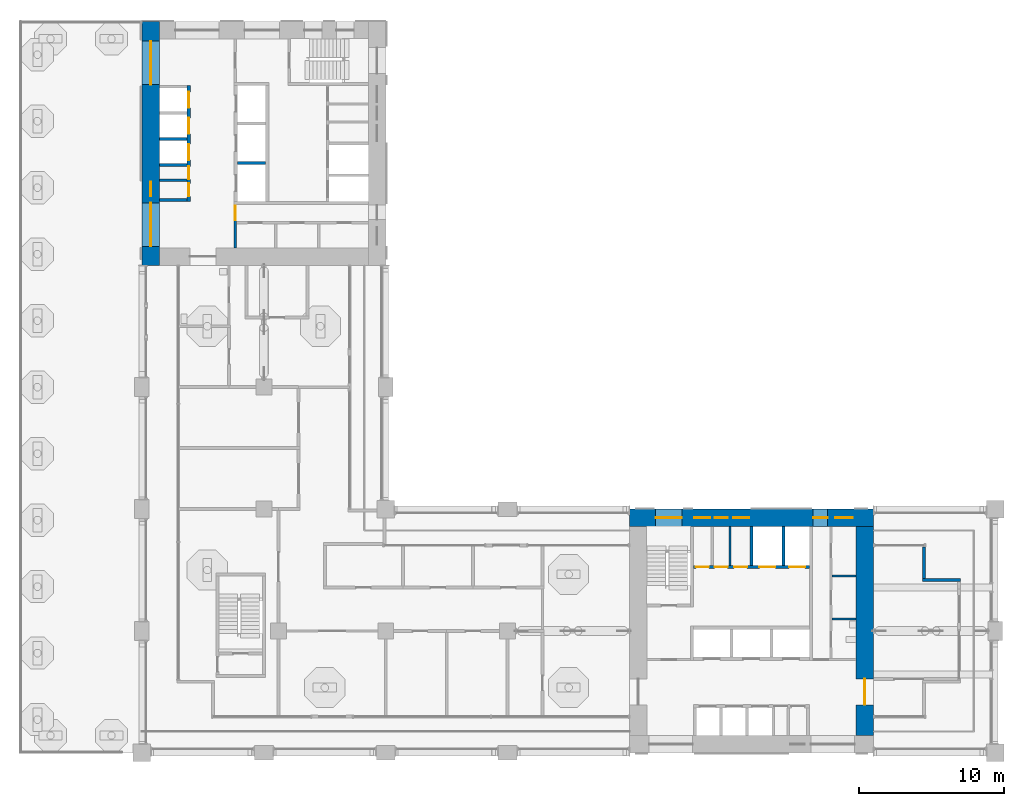
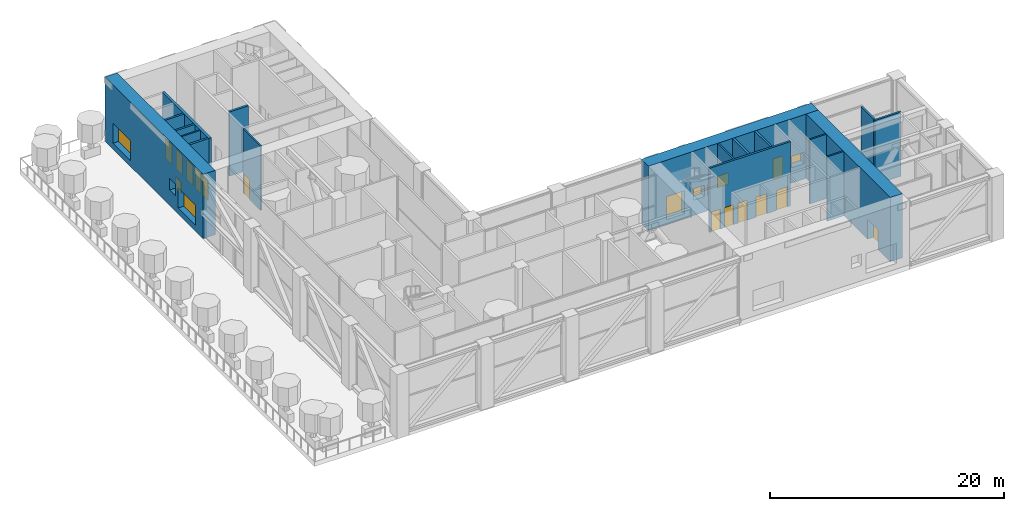
# One storey, part 11 of 22: 18 walls, 12 doors, 9 windows, 21 openings.
"""IFC4 building model written with IfcOpenShell, lengths in metres."""

from ifc_helpers import new_model, si_unit, direction, frame, frame_2d, origin, place, context, subcontext, project, spatial, rectangle, extrude, material, layer, layer_set, type_object, element, fill, save


model = new_model("IFC4")

# Units and contexts
model_context = context("Model", 3, precision=1e-05, world=origin(), true_north=direction((0.0, 1.0)))
body_context = subcontext(model_context, "Body", "Model", "MODEL_VIEW")
ifc_project = project(units=[si_unit("LENGTHUNIT", "METRE"), si_unit("AREAUNIT", "SQUARE_METRE"), si_unit("VOLUMEUNIT", "CUBIC_METRE"), si_unit("PLANEANGLEUNIT", "RADIAN"), si_unit("MASSUNIT", "GRAM", prefix="KILO")], contexts=[model_context])

# Site, building, storey
site_placement = place(None, origin())
site = spatial("IfcSite", under=ifc_project, at=site_placement, CompositionType="ELEMENT")
building_placement = place(site_placement, origin())
building = spatial("IfcBuilding", under=site, at=building_placement, Name="Vermilion Gate Residences", CompositionType="ELEMENT")
storey_placement = place(building_placement, frame((0.0, 0.0, 140.699951171875)))
storey = spatial("IfcBuildingStorey", under=building, at=storey_placement, Name="L36", CompositionType="ELEMENT", Elevation=140.699951171875)

# Walls
ifc_material_1 = material(Name="Masonry blockwork", Category="masonry")
ifc_layer_1 = layer(ifc_material_1, 0.14990234375)
ifc_layer_set_1 = layer_set([ifc_layer_1], Name="BLOCKWORK PARTITION 150 EI 120")
wall_type_1 = type_object("IfcWallType", Name="BLOCKWORK PARTITION 150 EI 120", PredefinedType="PARTITIONING", material=ifc_layer_set_1)
wall_1_placement = place(storey_placement, frame((48.928955078125, 21.300048828125, 0.0), z_axis=(0.0, 0.0, 1.0), x_axis=(0.0, 1.0, 0.0)))
element("IfcWall", 1, at=wall_1_placement, inside=storey, type_object=wall_type_1, Name="Core room partition A36-NR-P1", PredefinedType="PARTITIONING", context=body_context, shape_type="SweptSolid", body=[
    extrude(rectangle(XDim=2.699951171875, YDim=0.14990234375, at=frame_2d((1.35009765625, 0.0))), origin(), (0.0, 0.0, 1.0), 6.719970703125),
])
for number, where, z_axis, x_axis, name in (
    (2, (55.949951171875, 17.614990234375, 0.0), (0.0, 0.0, 1.0), (1.0, 0.0, 0.0), "Core room partition A36-ES-P0"),
    (3, (55.949951171875, 20.5810546875, 0.0), (0.0, 0.0, 1.0), (1.0, 0.0, 0.0), "Core room partition A36-ES-P1"),
):
    element("IfcWall", number, at=place(storey_placement, frame(where, z_axis=z_axis, x_axis=x_axis)), inside=storey, type_object=wall_type_1, Name=name, PredefinedType="PARTITIONING", context=body_context, shape_type="SweptSolid", body=[
        extrude(rectangle(XDim=1.650146484375, YDim=0.14990234375, at=frame_2d((0.8251953125, 0.0))), origin(), (0.0, 0.0, 1.0), 6.719970703125),
    ])
wall_2_placement = place(storey_placement, frame((9.60009765625, 47.864013671875, 0.0), z_axis=(0.0, 0.0, 1.0), x_axis=(1.0, 0.0, 0.0)))
element("IfcWall", 4, at=wall_2_placement, inside=storey, type_object=wall_type_1, Name="Core room partition B36-SR-P0", PredefinedType="PARTITIONING", context=body_context, shape_type="SweptSolid", body=[
    extrude(rectangle(XDim=1.89990234375, YDim=0.14990234375, at=frame_2d((0.949951171875, 0.0))), origin(), (0.0, 0.0, 1.0), 6.719970703125),
])

# Wall, opening, door
wall_3_placement = place(storey_placement, frame((14.824951171875, 46.199951171875, 0.0), z_axis=(0.0, 0.0, 1.0), x_axis=(0.0, -1.0, 0.0)))
wall_3 = element("IfcWall", 5, at=wall_3_placement, inside=storey, type_object=wall_type_1, Name="Core room partition B36-ES-S", PredefinedType="PARTITIONING", context=body_context, shape_type="SweptSolid", body=[
    extrude(rectangle(XDim=3.0, YDim=0.14990234375, at=frame_2d((1.5, 0.0))), origin(), (0.0, 0.0, 1.0), 6.719970703125),
])
opening_1_placement = place(wall_3_placement, frame((0.10009765625, 0.0, 0.0)))
opening_1 = element("IfcOpeningElement", 6, at=opening_1_placement, cuts=wall_3, Name="Opening DK36117", PredefinedType="OPENING", context=body_context, shape_type="SweptSolid", body=[
    extrude(rectangle(XDim=1.0, YDim=2.10009765625, at=frame_2d((0.5, 1.050048828125))), frame((0.0, 0.0849609375, 0.0), z_axis=(0.0, -1.0, 0.0), x_axis=(1.0, 0.0, 0.0)), (0.0, 0.0, 1.0), 0.169921875),
])
ifc_material_2 = material(Name="Steel", Category="steel")
door_type_1 = type_object("IfcDoorType", Name="FIRE DOOR FD60 1000 X 2100", OperationType="SINGLE_SWING_LEFT", PredefinedType="DOOR", material=ifc_material_2)
door_1_placement = place(opening_1_placement, frame((1.0, 0.0, 0.0), z_axis=(0.0, 0.0, 1.0), x_axis=(-1.0, 0.0, 0.0)))
door_1 = element("IfcDoor", 7, at=door_1_placement, inside=storey, type_object=door_type_1, Name="Service corridor door B36", OperationType="SINGLE_SWING_LEFT", OverallHeight=2.10009765625, OverallWidth=1.0, PredefinedType="DOOR", context=body_context, shape_type="SweptSolid", body=[
    extrude(rectangle(XDim=1.0, YDim=2.10009765625, at=frame_2d((0.5, 1.050048828125))), frame((0.0, 0.02490234375, 0.0), z_axis=(0.0, -1.0, 0.0), x_axis=(1.0, 0.0, 0.0)), (0.0, 0.0, 1.0), 0.050048828125),
])
fill(opening_1, door_1)

# Walls
ifc_material_3 = material(Name="Insulated steel stud wall with terracotta rainscreen", Category="masonry")
ifc_layer_2 = layer(ifc_material_3, 0.199951171875)
ifc_layer_set_2 = layer_set([ifc_layer_2], Name="EXTERNAL WALL 200 TERRACOTTA RAINSCREEN")
wall_type_2 = type_object("IfcWallType", Name="EXTERNAL WALL 200 TERRACOTTA RAINSCREEN", PredefinedType="SOLIDWALL", material=ifc_layer_set_2)
wall_4_placement = place(storey_placement, frame((64.800048828125, 20.300048828125, 0.0), z_axis=(0.0, 0.0, 1.0), x_axis=(-1.0, 0.0, 0.0)))
element("IfcWall", 8, at=wall_4_placement, inside=storey, type_object=wall_type_2, Name="External wall", PredefinedType="SOLIDWALL", context=body_context, shape_type="SweptSolid", body=[
    extrude(rectangle(XDim=2.60009765625, YDim=0.199951171875, at=frame_2d((1.300048828125, 0.0))), origin(), (0.0, 0.0, 1.0), 6.719970703125),
])
wall_5_placement = place(storey_placement, frame((62.300048828125, 20.39990234375, 0.0), z_axis=(0.0, 0.0, 1.0), x_axis=(0.0, 1.0, 0.0)))
element("IfcWall", 9, at=wall_5_placement, inside=storey, type_object=wall_type_2, Name="External wall", PredefinedType="SOLIDWALL", context=body_context, shape_type="SweptSolid", body=[
    extrude(rectangle(XDim=2.2001953125, YDim=0.199951171875, at=frame_2d((1.10009765625, 0.0))), origin(), (0.0, 0.0, 1.0), 6.719970703125),
])
ifc_material_4 = material(Name="Concrete C60", Category="concrete")
ifc_layer_3 = layer(ifc_material_4, 0.199951171875)
ifc_layer_set_3 = layer_set([ifc_layer_3], Name="RC CORE INTERNAL WALL 200 C60")
wall_type_3 = type_object("IfcWallType", Name="RC CORE INTERNAL WALL 200 C60", PredefinedType="SHEAR", material=ifc_layer_set_3)
for number, where, z_axis, x_axis, name in (
    (10, (50.39990234375, 21.300048828125, 0.0), (0.0, 0.0, 1.0), (0.0, 1.0, 0.0), "Core internal wall A36-FF-D0"),
    (11, (52.60009765625, 21.300048828125, 0.0), (0.0, 0.0, 1.0), (0.0, 1.0, 0.0), "Core internal wall A36-FF-D1"),
):
    element("IfcWall", number, at=place(storey_placement, frame(where, z_axis=z_axis, x_axis=x_axis)), inside=storey, type_object=wall_type_3, Name=name, PredefinedType="SHEAR", context=body_context, shape_type="SweptSolid", body=[
        extrude(rectangle(XDim=2.699951171875, YDim=0.199951171875, at=frame_2d((1.35009765625, 0.0))), origin(), (0.0, 0.0, 1.0), 6.719970703125),
    ])

# Wall, openings, doors
wall_6_placement = place(storey_placement, frame((46.39990234375, 21.199951171875, 0.0), z_axis=(0.0, 0.0, 1.0), x_axis=(1.0, 0.0, 0.0)))
wall_6 = element("IfcWall", 12, at=wall_6_placement, inside=storey, type_object=wall_type_3, Name="Core internal wall A36-FF-F", PredefinedType="SHEAR", context=body_context, shape_type="SweptSolid", body=[
    extrude(rectangle(XDim=8.0, YDim=0.199951171875, at=frame_2d((4.0, 0.0))), origin(), (0.0, 0.0, 1.0), 6.719970703125),
])
opening_2_placement = place(wall_6_placement, frame((0.162109375, 0.0, 0.0)))
opening_2 = element("IfcOpeningElement", 13, at=opening_2_placement, cuts=wall_6, Name="Opening DK36011", PredefinedType="OPENING", context=body_context, shape_type="SweptSolid", body=[
    extrude(rectangle(XDim=0.89990234375, YDim=2.10009765625, at=frame_2d((0.449951171875, 1.050048828125))), frame((0.0, 0.10986328125, 0.0), z_axis=(0.0, -1.0, 0.0), x_axis=(1.0, 0.0, 0.0)), (0.0, 0.0, 1.0), 0.219970703125),
])
opening_3_placement = place(wall_6_placement, frame((1.464111328125, 0.0, 0.0)))
opening_3 = element("IfcOpeningElement", 14, at=opening_3_placement, cuts=wall_6, Name="Opening DK36012", PredefinedType="OPENING", context=body_context, shape_type="SweptSolid", body=[
    extrude(rectangle(XDim=0.89990234375, YDim=2.10009765625, at=frame_2d((0.449951171875, 1.050048828125))), frame((0.0, 0.10986328125, 0.0), z_axis=(0.0, -1.0, 0.0), x_axis=(1.0, 0.0, 0.0)), (0.0, 0.0, 1.0), 0.219970703125),
])
opening_4_placement = place(wall_6_placement, frame((2.802001953125, 0.0, 0.0)))
opening_4 = element("IfcOpeningElement", 15, at=opening_4_placement, cuts=wall_6, Name="Opening DK36013", PredefinedType="OPENING", context=body_context, shape_type="SweptSolid", body=[
    extrude(rectangle(XDim=0.89990234375, YDim=2.10009765625, at=frame_2d((0.449951171875, 1.050048828125))), frame((0.0, 0.10986328125, 0.0), z_axis=(0.0, -1.0, 0.0), x_axis=(1.0, 0.0, 0.0)), (0.0, 0.0, 1.0), 0.219970703125),
])
opening_5_placement = place(wall_6_placement, frame((4.550048828125, 0.0, 0.0)))
opening_5 = element("IfcOpeningElement", 16, at=opening_5_placement, cuts=wall_6, Name="Opening LD", PredefinedType="OPENING", context=body_context, shape_type="SweptSolid", body=[
    extrude(rectangle(XDim=1.10009765625, YDim=2.10009765625, at=frame_2d((0.550048828125, 1.050048828125))), frame((0.0, 0.10986328125, 0.0), z_axis=(0.0, -1.0, 0.0), x_axis=(1.0, 0.0, 0.0)), (0.0, 0.0, 1.0), 0.219970703125),
])
opening_6_placement = place(wall_6_placement, frame((6.60009765625, 0.0, 0.0)))
opening_6 = element("IfcOpeningElement", 17, at=opening_6_placement, cuts=wall_6, Name="Opening LD", PredefinedType="OPENING", context=body_context, shape_type="SweptSolid", body=[
    extrude(rectangle(XDim=1.10009765625, YDim=2.10009765625, at=frame_2d((0.550048828125, 1.050048828125))), frame((0.0, 0.10986328125, 0.0), z_axis=(0.0, -1.0, 0.0), x_axis=(1.0, 0.0, 0.0)), (0.0, 0.0, 1.0), 0.219970703125),
])
ifc_material_5 = material(Name="Stainless steel", Category="steel")
door_type_2 = type_object("IfcDoorType", Name="LIFT LANDING DOOR E60 1100 X 2100", OperationType="DOUBLE_DOOR_SLIDING", PredefinedType="DOOR", material=ifc_material_5)
door_2_placement = place(opening_5_placement, origin())
door_2 = element("IfcDoor", 18, at=door_2_placement, inside=storey, type_object=door_type_2, Name="Lift landing door LFA1", OperationType="DOUBLE_DOOR_SLIDING", OverallHeight=2.10009765625, OverallWidth=1.10009765625, PredefinedType="DOOR", context=body_context, shape_type="SweptSolid", body=[
    extrude(rectangle(XDim=1.10009765625, YDim=2.10009765625, at=frame_2d((0.550048828125, 1.050048828125))), frame((0.0, 0.02490234375, 0.0), z_axis=(0.0, -1.0, 0.0), x_axis=(1.0, 0.0, 0.0)), (0.0, 0.0, 1.0), 0.050048828125),
])
fill(opening_5, door_2)
door_3_placement = place(opening_6_placement, origin())
door_3 = element("IfcDoor", 19, at=door_3_placement, inside=storey, type_object=door_type_2, Name="Lift landing door LCA1", OperationType="DOUBLE_DOOR_SLIDING", OverallHeight=2.10009765625, OverallWidth=1.10009765625, PredefinedType="DOOR", context=body_context, shape_type="SweptSolid", body=[
    extrude(rectangle(XDim=1.10009765625, YDim=2.10009765625, at=frame_2d((0.550048828125, 1.050048828125))), frame((0.0, 0.02490234375, 0.0), z_axis=(0.0, -1.0, 0.0), x_axis=(1.0, 0.0, 0.0)), (0.0, 0.0, 1.0), 0.050048828125),
])
fill(opening_6, door_3)
ifc_material_6 = material(Name="Steel", Category="steel")
door_type_3 = type_object("IfcDoorType", Name="SERVICE ROOM DOOR FD60 900 X 2100", OperationType="SINGLE_SWING_LEFT", PredefinedType="DOOR", material=ifc_material_6)
door_4_placement = place(opening_2_placement, frame((0.89990234375, 0.0, 0.0), z_axis=(0.0, 0.0, 1.0), x_axis=(-1.0, 0.0, 0.0)))
door_4 = element("IfcDoor", 20, at=door_4_placement, inside=storey, type_object=door_type_3, Name="Pressurisation fan plant room A36", OperationType="SINGLE_SWING_RIGHT", OverallHeight=2.10009765625, OverallWidth=0.89990234375, PredefinedType="DOOR", context=body_context, shape_type="SweptSolid", body=[
    extrude(rectangle(XDim=0.89990234375, YDim=2.10009765625, at=frame_2d((0.449951171875, 1.050048828125))), frame((0.0, 0.02490234375, 0.0), z_axis=(0.0, -1.0, 0.0), x_axis=(1.0, 0.0, 0.0)), (0.0, 0.0, 1.0), 0.050048828125),
])
fill(opening_2, door_4)
door_5_placement = place(opening_3_placement, frame((0.89990234375, 0.0, 0.0), z_axis=(0.0, 0.0, 1.0), x_axis=(-1.0, 0.0, 0.0)))
door_5 = element("IfcDoor", 21, at=door_5_placement, inside=storey, type_object=door_type_3, Name="Smoke extract plant room A36", OperationType="SINGLE_SWING_RIGHT", OverallHeight=2.10009765625, OverallWidth=0.89990234375, PredefinedType="DOOR", context=body_context, shape_type="SweptSolid", body=[
    extrude(rectangle(XDim=0.89990234375, YDim=2.10009765625, at=frame_2d((0.449951171875, 1.050048828125))), frame((0.0, 0.02490234375, 0.0), z_axis=(0.0, -1.0, 0.0), x_axis=(1.0, 0.0, 0.0)), (0.0, 0.0, 1.0), 0.050048828125),
])
fill(opening_3, door_5)
door_6_placement = place(opening_4_placement, frame((0.89990234375, 0.0, 0.0), z_axis=(0.0, 0.0, 1.0), x_axis=(-1.0, 0.0, 0.0)))
door_6 = element("IfcDoor", 22, at=door_6_placement, inside=storey, type_object=door_type_3, Name="Mechanical plant room A36", OperationType="SINGLE_SWING_RIGHT", OverallHeight=2.10009765625, OverallWidth=0.89990234375, PredefinedType="DOOR", context=body_context, shape_type="SweptSolid", body=[
    extrude(rectangle(XDim=0.89990234375, YDim=2.10009765625, at=frame_2d((0.449951171875, 1.050048828125))), frame((0.0, 0.02490234375, 0.0), z_axis=(0.0, -1.0, 0.0), x_axis=(1.0, 0.0, 0.0)), (0.0, 0.0, 1.0), 0.050048828125),
])
fill(opening_4, door_6)

# Walls
for number, where, z_axis, x_axis, name in (
    (23, (9.60009765625, 50.699951171875, 0.0), (0.0, 0.0, 1.0), (1.0, 0.0, 0.0), "Core internal wall B36-LR-D2"),
    (24, (9.60009765625, 48.89990234375, 0.0), (0.0, 0.0, 1.0), (1.0, 0.0, 0.0), "Core internal wall B36-LR-D3"),
    (25, (9.60009765625, 46.5, 0.0), (0.0, 0.0, 1.0), (1.0, 0.0, 0.0), "Core internal wall B36-LR-DE"),
    (26, (15.0, 49.033447265625, 0.0), (0.0, 0.0, 1.0), (1.0, 0.0, 0.0), "Core internal wall B36-HR-D2"),
):
    element("IfcWall", number, at=place(storey_placement, frame(where, z_axis=z_axis, x_axis=x_axis)), inside=storey, type_object=wall_type_3, Name=name, PredefinedType="SHEAR", context=body_context, shape_type="SweptSolid", body=[
        extrude(rectangle(XDim=1.89990234375, YDim=0.199951171875, at=frame_2d((0.949951171875, 0.0))), origin(), (0.0, 0.0, 1.0), 6.719970703125),
    ])

# Wall, opening, door
ifc_material_7 = material(Name="Concrete C70", Category="concrete")
ifc_layer_4 = layer(ifc_material_7, 1.199951171875)
ifc_layer_set_4 = layer_set([ifc_layer_4], Name="RC CORE WALL 1200 C70")
wall_type_4 = type_object("IfcWallType", Name="RC CORE WALL 1200 C70", PredefinedType="SHEAR", material=ifc_layer_set_4)
wall_7_placement = place(storey_placement, frame((58.199951171875, 9.60009765625, 0.0), z_axis=(0.0, 0.0, 1.0), x_axis=(0.0, 1.0, 0.0)))
wall_7 = element("IfcWall", 27, at=wall_7_placement, inside=storey, type_object=wall_type_4, Name="Core wall A36-OUT-BK", PredefinedType="SHEAR", context=body_context, shape_type="SweptSolid", body=[
    extrude(rectangle(XDim=14.39990234375, YDim=1.199951171875, at=frame_2d((7.199951171875, 0.0))), origin(), (0.0, 0.0, 1.0), 6.719970703125),
])
opening_7_placement = place(wall_7_placement, frame((2.10009765625, 0.0, 0.0)))
opening_7 = element("IfcOpeningElement", 28, at=opening_7_placement, cuts=wall_7, Name="Opening DK36002", PredefinedType="OPENING", context=body_context, shape_type="SweptSolid", body=[
    extrude(rectangle(XDim=1.800048828125, YDim=2.10009765625, at=frame_2d((0.89990234375, 1.050048828125))), frame((0.0, 0.60986328125, 0.0), z_axis=(0.0, -1.0, 0.0), x_axis=(1.0, 0.0, 0.0)), (0.0, 0.0, 1.0), 1.219970703125),
])
ifc_material_8 = material(Name="Steel", Category="steel")
door_type_4 = type_object("IfcDoorType", Name="CORE LOBBY DOOR FD60 1800 X 2100", OperationType="DOUBLE_DOOR_SINGLE_SWING", PredefinedType="DOOR", material=ifc_material_8)
door_7_placement = place(opening_7_placement, origin())
door_7 = element("IfcDoor", 29, at=door_7_placement, inside=storey, type_object=door_type_4, Name="Core lobby door A36", OperationType="DOUBLE_DOOR_SINGLE_SWING", OverallHeight=2.10009765625, OverallWidth=1.800048828125, PredefinedType="DOOR", context=body_context, shape_type="SweptSolid", body=[
    extrude(rectangle(XDim=1.800048828125, YDim=2.10009765625, at=frame_2d((0.89990234375, 1.050048828125))), frame((0.0, 0.02490234375, 0.0), z_axis=(0.0, -1.0, 0.0), x_axis=(1.0, 0.0, 0.0)), (0.0, 0.0, 1.0), 0.050048828125),
])
fill(opening_7, door_7)

# Wall, openings, windows
ifc_material_9 = material(Name="Concrete C70 red-oxide pigmented", Category="concrete")
ifc_layer_5 = layer(ifc_material_9, 1.199951171875)
ifc_layer_set_5 = layer_set([ifc_layer_5], Name="RC CORE WALL 1200 C70 RED OXIDE")
wall_type_5 = type_object("IfcWallType", Name="RC CORE WALL 1200 C70 RED OXIDE", PredefinedType="SHEAR", material=ifc_layer_set_5)
wall_8_placement = place(storey_placement, frame((42.0, 24.60009765625, 0.0), z_axis=(0.0, 0.0, 1.0), x_axis=(1.0, 0.0, 0.0)))
wall_8 = element("IfcWall", 30, at=wall_8_placement, inside=storey, type_object=wall_type_5, Name="Core wall A36-OUT-B1", PredefinedType="SHEAR", context=body_context, shape_type="SweptSolid", body=[
    extrude(rectangle(XDim=16.800048828125, YDim=1.199951171875, at=frame_2d((8.39990234375, 0.0))), origin(), (0.0, 0.0, 1.0), 6.719970703125),
])
opening_8_placement = place(wall_8_placement, frame((1.800048828125, 0.0, 0.5)))
opening_8 = element("IfcOpeningElement", 31, at=opening_8_placement, cuts=wall_8, Name="Opening WKA3604", PredefinedType="OPENING", context=body_context, shape_type="SweptSolid", body=[
    extrude(rectangle(XDim=1.800048828125, YDim=2.39990234375, at=frame_2d((0.89990234375, 1.199951171875))), frame((0.0, 0.60986328125, 0.0), z_axis=(0.0, -1.0, 0.0), x_axis=(1.0, 0.0, 0.0)), (0.0, 0.0, 1.0), 1.219970703125),
])
opening_9_placement = place(wall_8_placement, frame((4.4619140625, 0.0, 1.60009765625)))
opening_9 = element("IfcOpeningElement", 32, at=opening_9_placement, cuts=wall_8, Name="Opening WKA3605", PredefinedType="OPENING", context=body_context, shape_type="SweptSolid", body=[
    extrude(rectangle(XDim=1.10009765625, YDim=1.199951171875, at=frame_2d((0.550048828125, 0.60009765625))), frame((0.0, 0.60986328125, 0.0), z_axis=(0.0, -1.0, 0.0), x_axis=(1.0, 0.0, 0.0)), (0.0, 0.0, 1.0), 1.219970703125),
])
opening_10_placement = place(wall_8_placement, frame((5.864013671875, 0.0, 1.60009765625)))
opening_10 = element("IfcOpeningElement", 33, at=opening_10_placement, cuts=wall_8, Name="Opening WKA3606", PredefinedType="OPENING", context=body_context, shape_type="SweptSolid", body=[
    extrude(rectangle(XDim=0.89990234375, YDim=1.199951171875, at=frame_2d((0.449951171875, 0.60009765625))), frame((0.0, 0.60986328125, 0.0), z_axis=(0.0, -1.0, 0.0), x_axis=(1.0, 0.0, 0.0)), (0.0, 0.0, 1.0), 1.219970703125),
])
opening_11_placement = place(wall_8_placement, frame((7.14990234375, 0.0, 1.60009765625)))
opening_11 = element("IfcOpeningElement", 34, at=opening_11_placement, cuts=wall_8, Name="Opening WKA3607", PredefinedType="OPENING", context=body_context, shape_type="SweptSolid", body=[
    extrude(rectangle(XDim=1.10009765625, YDim=1.199951171875, at=frame_2d((0.550048828125, 0.60009765625))), frame((0.0, 0.60986328125, 0.0), z_axis=(0.0, -1.0, 0.0), x_axis=(1.0, 0.0, 0.0)), (0.0, 0.0, 1.0), 1.219970703125),
])
opening_12_placement = place(wall_8_placement, frame((12.64990234375, 0.0, 0.60009765625)))
opening_12 = element("IfcOpeningElement", 35, at=opening_12_placement, cuts=wall_8, Name="Opening WKA3608", PredefinedType="OPENING", context=body_context, shape_type="SweptSolid", body=[
    extrude(rectangle(XDim=1.0, YDim=2.10009765625, at=frame_2d((0.5, 1.050048828125))), frame((0.0, 0.60986328125, 0.0), z_axis=(0.0, -1.0, 0.0), x_axis=(1.0, 0.0, 0.0)), (0.0, 0.0, 1.0), 1.219970703125),
])
opening_13_placement = place(wall_8_placement, frame((14.175048828125, 0.0, 1.60009765625)))
opening_13 = element("IfcOpeningElement", 36, at=opening_13_placement, cuts=wall_8, Name="Opening WKA3609", PredefinedType="OPENING", context=body_context, shape_type="SweptSolid", body=[
    extrude(rectangle(XDim=1.199951171875, YDim=1.199951171875, at=frame_2d((0.60009765625, 0.60009765625))), frame((0.0, 0.60986328125, 0.0), z_axis=(0.0, -1.0, 0.0), x_axis=(1.0, 0.0, 0.0)), (0.0, 0.0, 1.0), 1.219970703125),
])
ifc_material_10 = material(Name="Aluminium and clear glass", Category="aluminium")
window_type_1 = type_object("IfcWindowType", Name="CORE CORRIDOR WINDOW 1000 X 2100", PartitioningType="SINGLE_PANEL", PredefinedType="WINDOW", material=ifc_material_10)
window_1_placement = place(opening_12_placement, origin())
window_1 = element("IfcWindow", 37, at=window_1_placement, inside=storey, type_object=window_type_1, Name="Core corridor window", OverallHeight=2.10009765625, OverallWidth=1.0, PartitioningType="SINGLE_PANEL", PredefinedType="WINDOW", context=body_context, shape_type="SweptSolid", body=[
    extrude(rectangle(XDim=1.0, YDim=2.10009765625, at=frame_2d((0.5, 1.050048828125))), frame((0.0, 0.030029296875, 0.0), z_axis=(0.0, -1.0, 0.0), x_axis=(1.0, 0.0, 0.0)), (0.0, 0.0, 1.0), 0.06005859375),
])
fill(opening_12, window_1)
ifc_material_11 = material(Name="Aluminium frame with louvre blades", Category="aluminium")
window_type_2 = type_object("IfcWindowType", Name="CORE LOUVRE 1100 X 1200", PartitioningType="SINGLE_PANEL", PredefinedType="WINDOW", material=ifc_material_11)
window_2_placement = place(opening_9_placement, origin())
window_2 = element("IfcWindow", 38, at=window_2_placement, inside=storey, type_object=window_type_2, Name="Core louvre", OverallHeight=1.199951171875, OverallWidth=1.10009765625, PartitioningType="SINGLE_PANEL", PredefinedType="WINDOW", context=body_context, shape_type="SweptSolid", body=[
    extrude(rectangle(XDim=1.10009765625, YDim=1.199951171875, at=frame_2d((0.550048828125, 0.60009765625))), frame((0.0, 0.030029296875, 0.0), z_axis=(0.0, -1.0, 0.0), x_axis=(1.0, 0.0, 0.0)), (0.0, 0.0, 1.0), 0.06005859375),
])
fill(opening_9, window_2)
window_3_placement = place(opening_11_placement, origin())
window_3 = element("IfcWindow", 39, at=window_3_placement, inside=storey, type_object=window_type_2, Name="Core louvre", OverallHeight=1.199951171875, OverallWidth=1.10009765625, PartitioningType="SINGLE_PANEL", PredefinedType="WINDOW", context=body_context, shape_type="SweptSolid", body=[
    extrude(rectangle(XDim=1.10009765625, YDim=1.199951171875, at=frame_2d((0.550048828125, 0.60009765625))), frame((0.0, 0.030029296875, 0.0), z_axis=(0.0, -1.0, 0.0), x_axis=(1.0, 0.0, 0.0)), (0.0, 0.0, 1.0), 0.06005859375),
])
fill(opening_11, window_3)
ifc_material_12 = material(Name="Aluminium frame with louvre blades", Category="aluminium")
window_type_3 = type_object("IfcWindowType", Name="CORE LOUVRE 1200 X 1200", PartitioningType="SINGLE_PANEL", PredefinedType="WINDOW", material=ifc_material_12)
window_4_placement = place(opening_13_placement, origin())
window_4 = element("IfcWindow", 40, at=window_4_placement, inside=storey, type_object=window_type_3, Name="Core louvre", OverallHeight=1.199951171875, OverallWidth=1.199951171875, PartitioningType="SINGLE_PANEL", PredefinedType="WINDOW", context=body_context, shape_type="SweptSolid", body=[
    extrude(rectangle(XDim=1.199951171875, YDim=1.199951171875, at=frame_2d((0.60009765625, 0.60009765625))), frame((0.0, 0.030029296875, 0.0), z_axis=(0.0, -1.0, 0.0), x_axis=(1.0, 0.0, 0.0)), (0.0, 0.0, 1.0), 0.06005859375),
])
fill(opening_13, window_4)
ifc_material_13 = material(Name="Aluminium frame with louvre blades", Category="aluminium")
window_type_4 = type_object("IfcWindowType", Name="CORE LOUVRE 900 X 1200", PartitioningType="SINGLE_PANEL", PredefinedType="WINDOW", material=ifc_material_13)
window_5_placement = place(opening_10_placement, origin())
window_5 = element("IfcWindow", 41, at=window_5_placement, inside=storey, type_object=window_type_4, Name="Core louvre", OverallHeight=1.199951171875, OverallWidth=0.89990234375, PartitioningType="SINGLE_PANEL", PredefinedType="WINDOW", context=body_context, shape_type="SweptSolid", body=[
    extrude(rectangle(XDim=0.89990234375, YDim=1.199951171875, at=frame_2d((0.449951171875, 0.60009765625))), frame((0.0, 0.030029296875, 0.0), z_axis=(0.0, -1.0, 0.0), x_axis=(1.0, 0.0, 0.0)), (0.0, 0.0, 1.0), 0.06005859375),
])
fill(opening_10, window_5)
ifc_material_14 = material(Name="Aluminium and clear glass", Category="aluminium")
window_type_5 = type_object("IfcWindowType", Name="CORE STAIR WINDOW 1800 X 2400", PartitioningType="SINGLE_PANEL", PredefinedType="WINDOW", material=ifc_material_14)
window_6_placement = place(opening_8_placement, origin())
window_6 = element("IfcWindow", 42, at=window_6_placement, inside=storey, type_object=window_type_5, Name="Core stair window", OverallHeight=2.39990234375, OverallWidth=1.800048828125, PartitioningType="SINGLE_PANEL", PredefinedType="WINDOW", context=body_context, shape_type="SweptSolid", body=[
    extrude(rectangle(XDim=1.800048828125, YDim=2.39990234375, at=frame_2d((0.89990234375, 1.199951171875))), frame((0.0, 0.030029296875, 0.0), z_axis=(0.0, -1.0, 0.0), x_axis=(1.0, 0.0, 0.0)), (0.0, 0.0, 1.0), 0.06005859375),
])
fill(opening_8, window_6)

wall_9_placement = place(storey_placement, frame((9.0, 58.800048828125, 0.0), z_axis=(0.0, 0.0, 1.0), x_axis=(0.0, -1.0, 0.0)))
wall_9 = element("IfcWall", 43, at=wall_9_placement, inside=storey, type_object=wall_type_5, Name="Core wall B36-OUT-B0", PredefinedType="SHEAR", context=body_context, shape_type="SweptSolid", body=[
    extrude(rectangle(XDim=16.800048828125, YDim=1.199951171875, at=frame_2d((8.39990234375, 0.0))), origin(), (0.0, 0.0, 1.0), 6.719970703125),
])
opening_14_placement = place(wall_9_placement, frame((1.35009765625, 0.0, 0.60009765625)))
opening_14 = element("IfcOpeningElement", 44, at=opening_14_placement, cuts=wall_9, Name="Opening WKB3601", PredefinedType="OPENING", context=body_context, shape_type="SweptSolid", body=[
    extrude(rectangle(XDim=3.0, YDim=2.10009765625, at=frame_2d((1.5, 1.050048828125))), frame((0.0, 0.60986328125, 0.0), z_axis=(0.0, -1.0, 0.0), x_axis=(1.0, 0.0, 0.0)), (0.0, 0.0, 1.0), 1.219970703125),
])
opening_15_placement = place(wall_9_placement, frame((11.06103515625, 0.0, 1.60009765625)))
opening_15 = element("IfcOpeningElement", 45, at=opening_15_placement, cuts=wall_9, Name="Opening WKB3602", PredefinedType="OPENING", context=body_context, shape_type="SweptSolid", body=[
    extrude(rectangle(XDim=1.0, YDim=1.199951171875, at=frame_2d((0.5, 0.60009765625))), frame((0.0, 0.60986328125, 0.0), z_axis=(0.0, -1.0, 0.0), x_axis=(1.0, 0.0, 0.0)), (0.0, 0.0, 1.0), 1.219970703125),
])
opening_16_placement = place(wall_9_placement, frame((12.5, 0.0, 0.60009765625)))
opening_16 = element("IfcOpeningElement", 46, at=opening_16_placement, cuts=wall_9, Name="Opening WKB3603", PredefinedType="OPENING", context=body_context, shape_type="SweptSolid", body=[
    extrude(rectangle(XDim=3.0, YDim=2.10009765625, at=frame_2d((1.5, 1.050048828125))), frame((0.0, 0.60986328125, 0.0), z_axis=(0.0, -1.0, 0.0), x_axis=(1.0, 0.0, 0.0)), (0.0, 0.0, 1.0), 1.219970703125),
])
ifc_material_15 = material(Name="Aluminium and clear glass", Category="aluminium")
window_type_6 = type_object("IfcWindowType", Name="CORE LOBBY WINDOW 3000 X 2100", PartitioningType="SINGLE_PANEL", PredefinedType="WINDOW", material=ifc_material_15)
window_7_placement = place(opening_14_placement, origin())
window_7 = element("IfcWindow", 47, at=window_7_placement, inside=storey, type_object=window_type_6, Name="Core lobby window", OverallHeight=2.10009765625, OverallWidth=3.0, PartitioningType="SINGLE_PANEL", PredefinedType="WINDOW", context=body_context, shape_type="SweptSolid", body=[
    extrude(rectangle(XDim=3.0, YDim=2.10009765625, at=frame_2d((1.5, 1.050048828125))), frame((0.0, 0.030029296875, 0.0), z_axis=(0.0, -1.0, 0.0), x_axis=(1.0, 0.0, 0.0)), (0.0, 0.0, 1.0), 0.06005859375),
])
fill(opening_14, window_7)
window_8_placement = place(opening_16_placement, origin())
window_8 = element("IfcWindow", 48, at=window_8_placement, inside=storey, type_object=window_type_6, Name="Core lobby window", OverallHeight=2.10009765625, OverallWidth=3.0, PartitioningType="SINGLE_PANEL", PredefinedType="WINDOW", context=body_context, shape_type="SweptSolid", body=[
    extrude(rectangle(XDim=3.0, YDim=2.10009765625, at=frame_2d((1.5, 1.050048828125))), frame((0.0, 0.030029296875, 0.0), z_axis=(0.0, -1.0, 0.0), x_axis=(1.0, 0.0, 0.0)), (0.0, 0.0, 1.0), 0.06005859375),
])
fill(opening_16, window_8)
ifc_material_16 = material(Name="Aluminium frame with louvre blades", Category="aluminium")
window_type_7 = type_object("IfcWindowType", Name="CORE LOUVRE 1000 X 1200", PartitioningType="SINGLE_PANEL", PredefinedType="WINDOW", material=ifc_material_16)
window_9_placement = place(opening_15_placement, origin())
window_9 = element("IfcWindow", 49, at=window_9_placement, inside=storey, type_object=window_type_7, Name="Core louvre", OverallHeight=1.199951171875, OverallWidth=1.0, PartitioningType="SINGLE_PANEL", PredefinedType="WINDOW", context=body_context, shape_type="SweptSolid", body=[
    extrude(rectangle(XDim=1.0, YDim=1.199951171875, at=frame_2d((0.5, 0.60009765625))), frame((0.0, 0.030029296875, 0.0), z_axis=(0.0, -1.0, 0.0), x_axis=(1.0, 0.0, 0.0)), (0.0, 0.0, 1.0), 0.06005859375),
])
fill(opening_15, window_9)

# Wall, openings, doors
ifc_material_17 = material(Name="Concrete C60", Category="concrete")
ifc_layer_6 = layer(ifc_material_17, 0.25)
ifc_layer_set_6 = layer_set([ifc_layer_6], Name="RC LIFT SHAFT WALL 250 C60")
wall_type_6 = type_object("IfcWallType", Name="RC LIFT SHAFT WALL 250 C60", PredefinedType="SHEAR", material=ifc_layer_set_6)
wall_10_placement = place(storey_placement, frame((11.625, 54.39990234375, 0.0), z_axis=(0.0, 0.0, 1.0), x_axis=(0.0, -1.0, 0.0)))
wall_10 = element("IfcWall", 50, at=wall_10_placement, inside=storey, type_object=wall_type_6, Name="Lift shaft wall B36-LR-F", PredefinedType="SHEAR", context=body_context, shape_type="SweptSolid", body=[
    extrude(rectangle(XDim=8.0, YDim=0.25, at=frame_2d((4.0, 0.0))), origin(), (0.0, 0.0, 1.0), 6.719970703125),
])
opening_17_placement = place(wall_10_placement, frame((0.449951171875, 0.0, 0.0)))
opening_17 = element("IfcOpeningElement", 51, at=opening_17_placement, cuts=wall_10, Name="Opening LD", PredefinedType="OPENING", context=body_context, shape_type="SweptSolid", body=[
    extrude(rectangle(XDim=1.10009765625, YDim=2.10009765625, at=frame_2d((0.550048828125, 1.050048828125))), frame((0.0, 0.135009765625, 0.0), z_axis=(0.0, -1.0, 0.0), x_axis=(1.0, 0.0, 0.0)), (0.0, 0.0, 1.0), 0.27001953125),
])
opening_18_placement = place(wall_10_placement, frame((2.25, 0.0, 0.0)))
opening_18 = element("IfcOpeningElement", 52, at=opening_18_placement, cuts=wall_10, Name="Opening LD", PredefinedType="OPENING", context=body_context, shape_type="SweptSolid", body=[
    extrude(rectangle(XDim=1.10009765625, YDim=2.10009765625, at=frame_2d((0.550048828125, 1.050048828125))), frame((0.0, 0.135009765625, 0.0), z_axis=(0.0, -1.0, 0.0), x_axis=(1.0, 0.0, 0.0)), (0.0, 0.0, 1.0), 0.27001953125),
])
opening_19_placement = place(wall_10_placement, frame((4.050048828125, 0.0, 0.0)))
opening_19 = element("IfcOpeningElement", 53, at=opening_19_placement, cuts=wall_10, Name="Opening LD", PredefinedType="OPENING", context=body_context, shape_type="SweptSolid", body=[
    extrude(rectangle(XDim=1.10009765625, YDim=2.10009765625, at=frame_2d((0.550048828125, 1.050048828125))), frame((0.0, 0.135009765625, 0.0), z_axis=(0.0, -1.0, 0.0), x_axis=(1.0, 0.0, 0.0)), (0.0, 0.0, 1.0), 0.27001953125),
])
opening_20_placement = place(wall_10_placement, frame((5.58056640625, 0.0, 0.0)))
opening_20 = element("IfcOpeningElement", 54, at=opening_20_placement, cuts=wall_10, Name="Opening DK36105", PredefinedType="OPENING", context=body_context, shape_type="SweptSolid", body=[
    extrude(rectangle(XDim=0.89990234375, YDim=2.10009765625, at=frame_2d((0.449951171875, 1.050048828125))), frame((0.0, 0.135009765625, 0.0), z_axis=(0.0, -1.0, 0.0), x_axis=(1.0, 0.0, 0.0)), (0.0, 0.0, 1.0), 0.27001953125),
])
opening_21_placement = place(wall_10_placement, frame((6.755615234375, 0.0, 0.0)))
opening_21 = element("IfcOpeningElement", 55, at=opening_21_placement, cuts=wall_10, Name="Opening DK36106", PredefinedType="OPENING", context=body_context, shape_type="SweptSolid", body=[
    extrude(rectangle(XDim=0.89990234375, YDim=2.10009765625, at=frame_2d((0.449951171875, 1.050048828125))), frame((0.0, 0.135009765625, 0.0), z_axis=(0.0, -1.0, 0.0), x_axis=(1.0, 0.0, 0.0)), (0.0, 0.0, 1.0), 0.27001953125),
])
door_8_placement = place(opening_17_placement, origin())
door_8 = element("IfcDoor", 56, at=door_8_placement, inside=storey, type_object=door_type_2, Name="Lift landing door LRB1", OperationType="DOUBLE_DOOR_SLIDING", OverallHeight=2.10009765625, OverallWidth=1.10009765625, PredefinedType="DOOR", context=body_context, shape_type="SweptSolid", body=[
    extrude(rectangle(XDim=1.10009765625, YDim=2.10009765625, at=frame_2d((0.550048828125, 1.050048828125))), frame((0.0, 0.02490234375, 0.0), z_axis=(0.0, -1.0, 0.0), x_axis=(1.0, 0.0, 0.0)), (0.0, 0.0, 1.0), 0.050048828125),
])
fill(opening_17, door_8)
door_9_placement = place(opening_18_placement, origin())
door_9 = element("IfcDoor", 57, at=door_9_placement, inside=storey, type_object=door_type_2, Name="Lift landing door LRB2", OperationType="DOUBLE_DOOR_SLIDING", OverallHeight=2.10009765625, OverallWidth=1.10009765625, PredefinedType="DOOR", context=body_context, shape_type="SweptSolid", body=[
    extrude(rectangle(XDim=1.10009765625, YDim=2.10009765625, at=frame_2d((0.550048828125, 1.050048828125))), frame((0.0, 0.02490234375, 0.0), z_axis=(0.0, -1.0, 0.0), x_axis=(1.0, 0.0, 0.0)), (0.0, 0.0, 1.0), 0.050048828125),
])
fill(opening_18, door_9)
door_10_placement = place(opening_19_placement, origin())
door_10 = element("IfcDoor", 58, at=door_10_placement, inside=storey, type_object=door_type_2, Name="Lift landing door LRB3", OperationType="DOUBLE_DOOR_SLIDING", OverallHeight=2.10009765625, OverallWidth=1.10009765625, PredefinedType="DOOR", context=body_context, shape_type="SweptSolid", body=[
    extrude(rectangle(XDim=1.10009765625, YDim=2.10009765625, at=frame_2d((0.550048828125, 1.050048828125))), frame((0.0, 0.02490234375, 0.0), z_axis=(0.0, -1.0, 0.0), x_axis=(1.0, 0.0, 0.0)), (0.0, 0.0, 1.0), 0.050048828125),
])
fill(opening_19, door_10)
door_11_placement = place(opening_20_placement, origin())
door_11 = element("IfcDoor", 59, at=door_11_placement, inside=storey, type_object=door_type_3, Name="Transformer room B36", OperationType="SINGLE_SWING_LEFT", OverallHeight=2.10009765625, OverallWidth=0.89990234375, PredefinedType="DOOR", context=body_context, shape_type="SweptSolid", body=[
    extrude(rectangle(XDim=0.89990234375, YDim=2.10009765625, at=frame_2d((0.449951171875, 1.050048828125))), frame((0.0, 0.02490234375, 0.0), z_axis=(0.0, -1.0, 0.0), x_axis=(1.0, 0.0, 0.0)), (0.0, 0.0, 1.0), 0.050048828125),
])
fill(opening_20, door_11)
door_12_placement = place(opening_21_placement, origin())
door_12 = element("IfcDoor", 60, at=door_12_placement, inside=storey, type_object=door_type_3, Name="Electrical switch room B36", OperationType="SINGLE_SWING_LEFT", OverallHeight=2.10009765625, OverallWidth=0.89990234375, PredefinedType="DOOR", context=body_context, shape_type="SweptSolid", body=[
    extrude(rectangle(XDim=0.89990234375, YDim=2.10009765625, at=frame_2d((0.449951171875, 1.050048828125))), frame((0.0, 0.02490234375, 0.0), z_axis=(0.0, -1.0, 0.0), x_axis=(1.0, 0.0, 0.0)), (0.0, 0.0, 1.0), 0.050048828125),
])
fill(opening_21, door_12)

save(model, "model.ifc")
